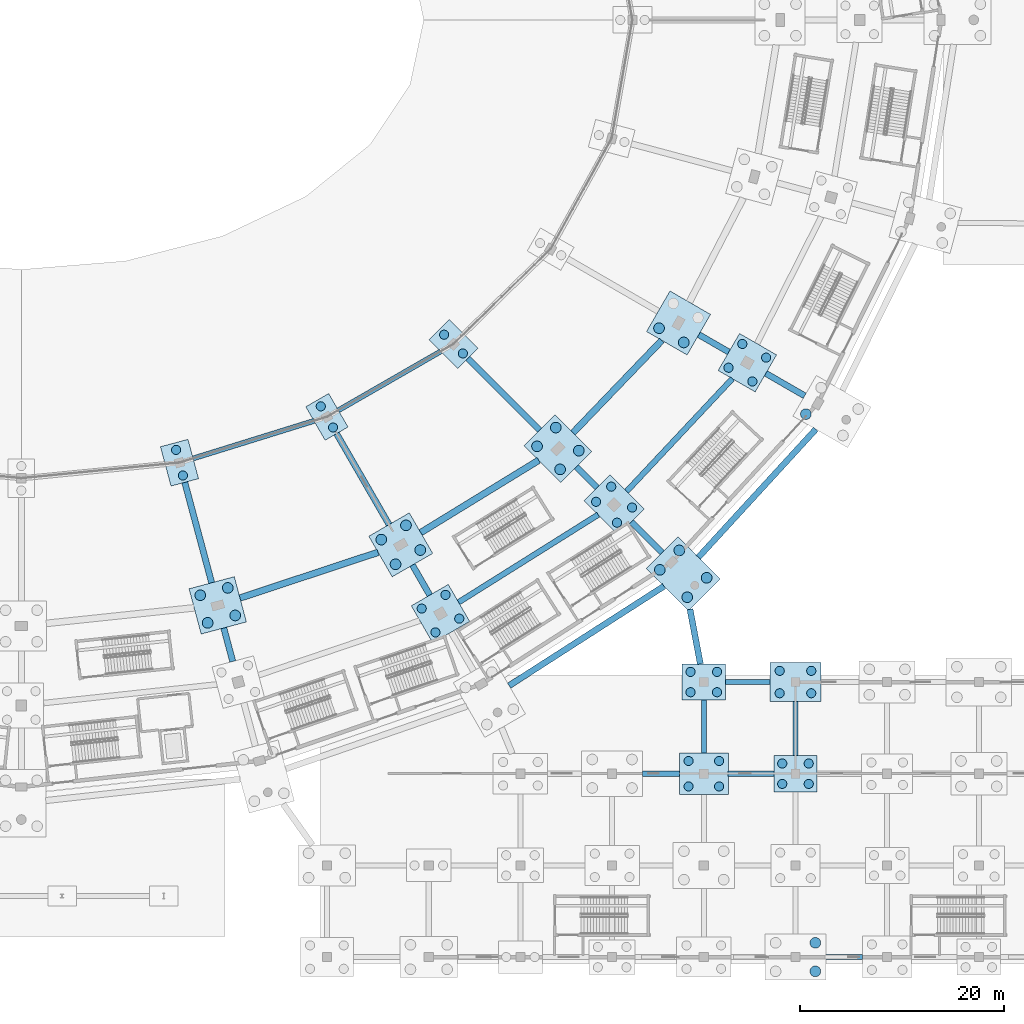
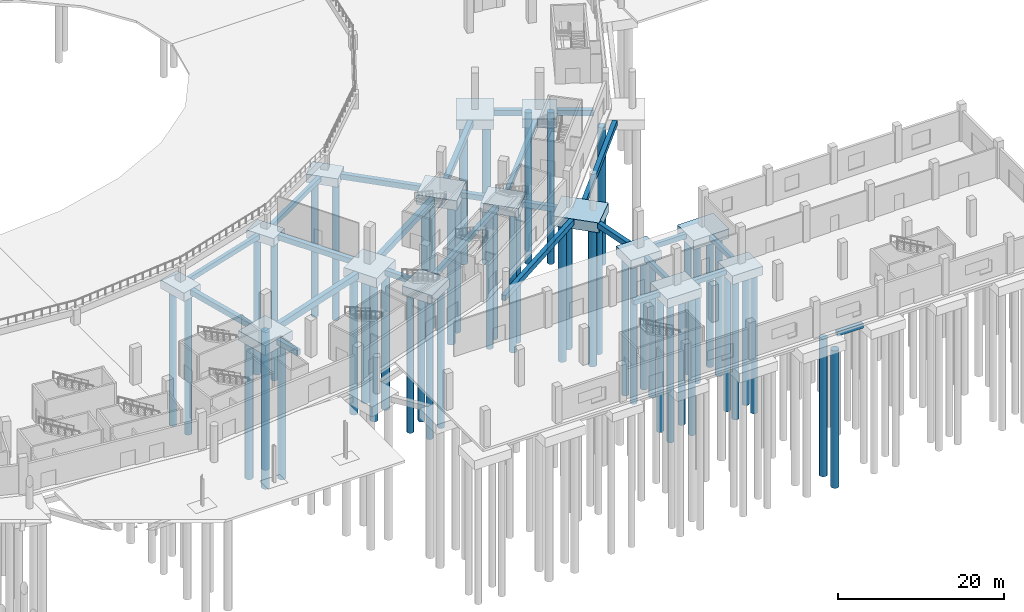
# One storey, part 6 of 103: 55 piles, 40 footings.
"""IFC4 building model written with IfcOpenShell, lengths in metres."""

from ifc_helpers import new_model, si_unit, direction, frame, origin, origin_2d, place, context, subcontext, project, spatial, rectangle, circle, extrude, material, material_profile, profile_set, type_object, element, save


model = new_model("IFC4")

# Units and contexts
model_context = context("Model", 3, precision=1e-05, world=origin(), true_north=direction((0.0, 1.0)))
body_context = subcontext(model_context, "Body", "Model", "MODEL_VIEW")
ifc_project = project(units=[si_unit("LENGTHUNIT", "METRE"), si_unit("AREAUNIT", "SQUARE_METRE"), si_unit("VOLUMEUNIT", "CUBIC_METRE"), si_unit("PLANEANGLEUNIT", "RADIAN"), si_unit("MASSUNIT", "GRAM", prefix="KILO")], contexts=[model_context])

# Site, building, storey
site_placement = place(None, origin())
site = spatial("IfcSite", under=ifc_project, at=site_placement, CompositionType="ELEMENT")
building_placement = place(site_placement, origin())
building = spatial("IfcBuilding", under=site, at=building_placement, Name="Zevraka Park Crest Stadium", CompositionType="ELEMENT")
storey_placement = place(building_placement, origin())
storey = spatial("IfcBuildingStorey", under=building, at=storey_placement, Name="L00", CompositionType="ELEMENT", Elevation=0.0)

# Footings
ifc_material_1 = material(Name="Concrete C35/45", Category="concrete")
ifc_material_profile_1 = material_profile(ifc_material_1, rectangle(XDim=0.60009765625, YDim=0.800048828125, at=origin_2d()), Name="GB 800x600")
ifc_profile_set_1 = profile_set([ifc_material_profile_1], Name="Concrete C35/45")
footing_type_1 = type_object("IfcFootingType", Name="GB01", PredefinedType="FOOTING_BEAM", material=ifc_profile_set_1)
footing_1_placement = place(storey_placement, frame((128.047119140625, 46.60107421875, -0.75), z_axis=(0.258823026795, -0.965924759389, 0.0), x_axis=(0.965924759389, 0.258823026795, 0.0)))
element("IfcFooting", 1, at=footing_1_placement, inside=storey, type_object=footing_type_1, Name="Ground Tie Beam GB01 RAD-AB-19", PredefinedType="FOOTING_BEAM", context=body_context, shape_type="SweptSolid", body=[
    extrude(rectangle(XDim=0.60009765625, YDim=0.800048828125, at=origin_2d()), origin(), (0.0, 0.0, 1.0), 10.19970703125),
])
footing_2_placement = place(storey_placement, frame((131.876953125, 32.304931640625, -0.75), z_axis=(0.258873676752, -0.965911186127, 0.0), x_axis=(0.965911186127, 0.258873676752, 0.0)))
element("IfcFooting", 2, at=footing_2_placement, inside=storey, type_object=footing_type_1, Name="Ground Tie Beam GB01 RAD-BC-19", PredefinedType="FOOTING_BEAM", context=body_context, shape_type="SweptSolid", body=[
    extrude(rectangle(XDim=0.60009765625, YDim=0.800048828125, at=origin_2d()), origin(), (0.0, 0.0, 1.0), 3.39990234375),
])
footing_3_placement = place(storey_placement, frame((142.949951171875, 51.384033203125, -0.75), z_axis=(0.499965227428, -0.866045478808, 0.0), x_axis=(0.866045478808, 0.499965227428, 0.0)))
element("IfcFooting", 3, at=footing_3_placement, inside=storey, type_object=footing_type_1, Name="Ground Tie Beam GB01 RAD-AB-20", PredefinedType="FOOTING_BEAM", context=body_context, shape_type="SweptSolid", body=[
    extrude(rectangle(XDim=0.60009765625, YDim=0.800048828125, at=origin_2d()), origin(), (0.0, 0.0, 1.0), 10.301025390625),
])
footing_4_placement = place(storey_placement, frame((150.39990234375, 38.47900390625, -0.75), z_axis=(0.500093339322, -0.865971507594, 0.0), x_axis=(0.865971507594, 0.500093339322, 0.0)))
element("IfcFooting", 4, at=footing_4_placement, inside=storey, type_object=footing_type_1, Name="Ground Tie Beam GB01 RAD-BC-20", PredefinedType="FOOTING_BEAM", context=body_context, shape_type="SweptSolid", body=[
    extrude(rectangle(XDim=0.60009765625, YDim=0.800048828125, at=origin_2d()), origin(), (0.0, 0.0, 1.0), 3.399658203125),
])
footing_5_placement = place(storey_placement, frame((159.886962890625, 26.64599609375, -0.75), z_axis=(0.841456315092, 0.540325151915, 0.0), x_axis=(-0.540325151915, 0.841456315092, 0.0)))
element("IfcFooting", 5, at=footing_5_placement, inside=storey, type_object=footing_type_1, Name="Ground Tie Beam GB01 CIR-DE-20", PredefinedType="FOOTING_BEAM", context=body_context, shape_type="SweptSolid", body=[
    extrude(rectangle(XDim=0.60009765625, YDim=0.800048828125, at=origin_2d()), origin(), (0.0, 0.0, 1.0), 18.06494140625),
])
footing_6_placement = place(storey_placement, frame((155.840087890625, 58.76611328125, -0.75), z_axis=(0.707094513227, -0.707119048933, 0.0), x_axis=(0.707119048933, 0.707094513227, 0.0)))
element("IfcFooting", 6, at=footing_6_placement, inside=storey, type_object=footing_type_1, Name="Ground Tie Beam GB01 RAD-AB-21", PredefinedType="FOOTING_BEAM", context=body_context, shape_type="SweptSolid", body=[
    extrude(rectangle(XDim=0.60009765625, YDim=0.800048828125, at=origin_2d()), origin(), (0.0, 0.0, 1.0), 9.950439453125),
])
footing_7_placement = place(storey_placement, frame((166.48193359375, 48.1240234375, -0.75), z_axis=(0.707106781187, -0.707106781187, 0.0), x_axis=(0.707106781187, 0.707106781187, 0.0)))
element("IfcFooting", 7, at=footing_7_placement, inside=storey, type_object=footing_type_1, Name="Ground Tie Beam GB01 RAD-BC-21", PredefinedType="FOOTING_BEAM", context=body_context, shape_type="SweptSolid", body=[
    extrude(rectangle(XDim=0.60009765625, YDim=0.800048828125, at=origin_2d()), origin(), (0.0, 0.0, 1.0), 2.875),
])
footing_8_placement = place(storey_placement, frame((171.8740234375, 42.73291015625, -0.75), z_axis=(0.707106781187, -0.707106781187, 0.0), x_axis=(0.707106781187, 0.707106781187, 0.0)))
element("IfcFooting", 8, at=footing_8_placement, inside=storey, type_object=footing_type_1, Name="Ground Tie Beam GB01 RAD-CDE-21", PredefinedType="FOOTING_BEAM", context=body_context, shape_type="SweptSolid", body=[
    extrude(rectangle(XDim=0.60009765625, YDim=0.800048828125, at=origin_2d()), origin(), (0.0, 0.0, 1.0), 4.300537109375),
])
footing_9_placement = place(storey_placement, frame((178.470947265625, 39.2470703125, -0.75), z_axis=(0.675899664643, 0.736993652167, 0.0), x_axis=(-0.736993652167, 0.675899664643, 0.0)))
element("IfcFooting", 9, at=footing_9_placement, inside=storey, type_object=footing_type_1, Name="Ground Tie Beam GB01 CIR-DE-21", PredefinedType="FOOTING_BEAM", context=body_context, shape_type="SweptSolid", body=[
    extrude(rectangle(XDim=0.60009765625, YDim=0.800048828125, at=origin_2d()), origin(), (0.0, 0.0, 1.0), 17.051513671875),
])
footing_10_placement = place(storey_placement, frame((178.510986328125, 61.10009765625, -0.75), z_axis=(0.865971507594, -0.500093339322, 0.0), x_axis=(0.500093339322, 0.865971507594, 0.0)))
element("IfcFooting", 10, at=footing_10_placement, inside=storey, type_object=footing_type_1, Name="Ground Tie Beam GB01 RAD-BC-22", PredefinedType="FOOTING_BEAM", context=body_context, shape_type="SweptSolid", body=[
    extrude(rectangle(XDim=0.60009765625, YDim=0.800048828125, at=origin_2d()), origin(), (0.0, 0.0, 1.0), 3.399658203125),
])
footing_11_placement = place(storey_placement, frame((185.093017578125, 57.300048828125, -0.75), z_axis=(0.866004457284, -0.500036278648, 0.0), x_axis=(0.500036278648, 0.866004457284, 0.0)))
element("IfcFooting", 11, at=footing_11_placement, inside=storey, type_object=footing_type_1, Name="Ground Tie Beam GB01 RAD-CDE-22", PredefinedType="FOOTING_BEAM", context=body_context, shape_type="SweptSolid", body=[
    extrude(rectangle(XDim=0.60009765625, YDim=0.800048828125, at=origin_2d()), origin(), (0.0, 0.0, 1.0), 4.399658203125),
])
footing_12_placement = place(storey_placement, frame((178.6630859375, 28.77490234375, -0.75), z_axis=(-0.186541708019, 0.982447042425, 0.0), x_axis=(-0.982447042425, -0.186541708019, 0.0)))
element("IfcFooting", 12, at=footing_12_placement, inside=storey, type_object=footing_type_1, Name="Ground Tie Beam GB01 WTIE-20-D", PredefinedType="FOOTING_BEAM", context=body_context, shape_type="SweptSolid", body=[
    extrude(rectangle(XDim=0.60009765625, YDim=0.800048828125, at=origin_2d()), origin(), (0.0, 0.0, 1.0), 5.468017578125),
])
ifc_material_2 = material(Name="Concrete C35/45", Category="concrete")
ifc_material_profile_2 = material_profile(ifc_material_2, rectangle(XDim=0.5, YDim=0.699951171875, at=origin_2d()), Name="GB 700x500")
ifc_profile_set_2 = profile_set([ifc_material_profile_2], Name="Concrete C35/45")
footing_type_2 = type_object("IfcFootingType", Name="GB02", PredefinedType="FOOTING_BEAM", material=ifc_profile_set_2)
footing_13_placement = place(storey_placement, frame((128.866943359375, 48.948974609375, -0.699951171875), z_axis=(0.954965260776, 0.296717627908, 0.0), x_axis=(-0.296717627908, 0.954965260776, 0.0)))
element("IfcFooting", 13, at=footing_13_placement, inside=storey, type_object=footing_type_2, Name="Ground Tie Beam GB02 CIR-A-19", PredefinedType="FOOTING_BEAM", context=body_context, shape_type="SweptSolid", body=[
    extrude(rectangle(XDim=0.5, YDim=0.699951171875, at=origin_2d()), origin(), (0.0, 0.0, 1.0), 12.41943359375),
])
footing_14_placement = place(storey_placement, frame((143.126953125, 53.677001953125, -0.699951171875), z_axis=(0.866686781199, 0.498852707014, 0.0), x_axis=(-0.498852707014, 0.866686781199, 0.0)))
element("IfcFooting", 14, at=footing_14_placement, inside=storey, type_object=footing_type_2, Name="Ground Tie Beam GB02 CIR-A-20", PredefinedType="FOOTING_BEAM", context=body_context, shape_type="SweptSolid", body=[
    extrude(rectangle(XDim=0.5, YDim=0.699951171875, at=origin_2d()), origin(), (0.0, 0.0, 1.0), 11.586669921875),
])
footing_15_placement = place(storey_placement, frame((173.0, 18.0, -0.699951171875), z_axis=(1.0, 0.0, 0.0), x_axis=(0.0, 1.0, 0.0)))
element("IfcFooting", 15, at=footing_15_placement, inside=storey, type_object=footing_type_2, Name="Ground Tie Beam GB02 WX-19-C", PredefinedType="FOOTING_BEAM", context=body_context, shape_type="SweptSolid", body=[
    extrude(rectangle(XDim=0.5, YDim=0.699951171875, at=origin_2d()), origin(), (0.0, 0.0, 1.0), 3.60009765625),
])
footing_16_placement = place(storey_placement, frame((181.39990234375, 18.0, -0.699951171875), z_axis=(1.0, 0.0, 0.0), x_axis=(0.0, 1.0, 0.0)))
element("IfcFooting", 16, at=footing_16_placement, inside=storey, type_object=footing_type_2, Name="Ground Tie Beam GB02 WX-20-C", PredefinedType="FOOTING_BEAM", context=body_context, shape_type="SweptSolid", body=[
    extrude(rectangle(XDim=0.5, YDim=0.699951171875, at=origin_2d()), origin(), (0.0, 0.0, 1.0), 4.47509765625),
])
footing_17_placement = place(storey_placement, frame((179.0, 20.050048828125, -0.699951171875), z_axis=(0.0, 1.0, 0.0), x_axis=(-1.0, 0.0, 0.0)))
element("IfcFooting", 17, at=footing_17_placement, inside=storey, type_object=footing_type_2, Name="Ground Tie Beam GB02 WY-20-C", PredefinedType="FOOTING_BEAM", context=body_context, shape_type="SweptSolid", body=[
    extrude(rectangle(XDim=0.5, YDim=0.699951171875, at=origin_2d()), origin(), (0.0, 0.0, 1.0), 5.175048828125),
])
footing_18_placement = place(storey_placement, frame((181.125, 27.0, -0.699951171875), z_axis=(1.0, 0.0, 0.0), x_axis=(0.0, 1.0, 0.0)))
element("IfcFooting", 18, at=footing_18_placement, inside=storey, type_object=footing_type_2, Name="Ground Tie Beam GB02 WX-20-D", PredefinedType="FOOTING_BEAM", context=body_context, shape_type="SweptSolid", body=[
    extrude(rectangle(XDim=0.5, YDim=0.699951171875, at=origin_2d()), origin(), (0.0, 0.0, 1.0), 4.375),
])
footing_19_placement = place(storey_placement, frame((191.0, 0.0, -0.699951171875), z_axis=(1.0, 0.0, 0.0), x_axis=(0.0, 1.0, 0.0)))
element("IfcFooting", 19, at=footing_19_placement, inside=storey, type_object=footing_type_2, Name="Ground Tie Beam GB02 WX-21-A", PredefinedType="FOOTING_BEAM", context=body_context, shape_type="SweptSolid", body=[
    extrude(rectangle(XDim=0.5, YDim=0.699951171875, at=origin_2d()), origin(), (0.0, 0.0, 1.0), 3.60009765625),
])
footing_20_placement = place(storey_placement, frame((188.0, 19.77490234375, -0.699951171875), z_axis=(0.0, 1.0, 0.0), x_axis=(-1.0, 0.0, 0.0)))
element("IfcFooting", 20, at=footing_20_placement, inside=storey, type_object=footing_type_2, Name="Ground Tie Beam GB02 WY-21-C", PredefinedType="FOOTING_BEAM", context=body_context, shape_type="SweptSolid", body=[
    extrude(rectangle(XDim=0.5, YDim=0.699951171875, at=origin_2d()), origin(), (0.0, 0.0, 1.0), 5.300048828125),
])
ifc_material_3 = material(Name="Concrete C35/45", Category="concrete")
ifc_material_profile_3 = material_profile(ifc_material_3, rectangle(XDim=0.64990234375, YDim=0.89990234375, at=origin_2d()), Name="GB 900x650")
ifc_profile_set_3 = profile_set([ifc_material_profile_3], Name="Concrete C35/45")
footing_type_3 = type_object("IfcFootingType", Name="GB03", PredefinedType="FOOTING_BEAM", material=ifc_profile_set_3)
footing_21_placement = place(storey_placement, frame((133.468994140625, 35.2509765625, -0.800048828125), z_axis=(0.94941794929, 0.314015218684, 0.0), x_axis=(-0.314015218684, 0.94941794929, 0.0)))
element("IfcFooting", 21, at=footing_21_placement, inside=storey, type_object=footing_type_3, Name="Ground Tie Beam GB03 CIR-B-19", PredefinedType="FOOTING_BEAM", context=body_context, shape_type="SweptSolid", body=[
    extrude(rectangle(XDim=0.64990234375, YDim=0.89990234375, at=origin_2d()), origin(), (0.0, 0.0, 1.0), 14.27294921875),
])
footing_22_placement = place(storey_placement, frame((151.2119140625, 41.673095703125, -0.800048828125), z_axis=(0.852594278308, 0.522573436559, 0.0), x_axis=(-0.522573436559, 0.852594278308, 0.0)))
element("IfcFooting", 22, at=footing_22_placement, inside=storey, type_object=footing_type_3, Name="Ground Tie Beam GB03 CIR-B-20", PredefinedType="FOOTING_BEAM", context=body_context, shape_type="SweptSolid", body=[
    extrude(rectangle(XDim=0.64990234375, YDim=0.89990234375, at=origin_2d()), origin(), (0.0, 0.0, 1.0), 13.58447265625),
])
footing_23_placement = place(storey_placement, frame((166.1689453125, 51.47802734375, -0.800048828125), z_axis=(0.692845501085, 0.721086063952, 0.0), x_axis=(-0.721086063952, 0.692845501085, 0.0)))
element("IfcFooting", 23, at=footing_23_placement, inside=storey, type_object=footing_type_3, Name="Ground Tie Beam GB03 CIR-B-21", PredefinedType="FOOTING_BEAM", context=body_context, shape_type="SweptSolid", body=[
    extrude(rectangle(XDim=0.64990234375, YDim=0.89990234375, at=origin_2d()), origin(), (0.0, 0.0, 1.0), 12.56982421875),
])
ifc_material_4 = material(Name="Concrete C35/45", Category="concrete")
ifc_material_profile_4 = material_profile(ifc_material_4, rectangle(XDim=0.550048828125, YDim=0.75, at=origin_2d()), Name="GB 750x550")
ifc_profile_set_4 = profile_set([ifc_material_profile_4], Name="Concrete C35/45")
footing_type_4 = type_object("IfcFootingType", Name="GB04", PredefinedType="FOOTING_BEAM", material=ifc_profile_set_4)
footing_24_placement = place(storey_placement, frame((154.929931640625, 34.8330078125, -0.72509765625), z_axis=(0.847033648329, 0.531539272865, 0.0), x_axis=(-0.531539272865, 0.847033648329, 0.0)))
element("IfcFooting", 24, at=footing_24_placement, inside=storey, type_object=footing_type_4, Name="Ground Tie Beam GB04 CIR-C-20", PredefinedType="FOOTING_BEAM", context=body_context, shape_type="SweptSolid", body=[
    extrude(rectangle(XDim=0.550048828125, YDim=0.75, at=origin_2d()), origin(), (0.0, 0.0, 1.0), 16.175537109375),
])
footing_25_placement = place(storey_placement, frame((171.427001953125, 45.72509765625, -0.72509765625), z_axis=(0.684286663636, 0.729213111491, 0.0), x_axis=(-0.729213111491, 0.684286663636, 0.0)))
element("IfcFooting", 25, at=footing_25_placement, inside=storey, type_object=footing_type_4, Name="Ground Tie Beam GB04 CIR-C-21", PredefinedType="FOOTING_BEAM", context=body_context, shape_type="SweptSolid", body=[
    extrude(rectangle(XDim=0.550048828125, YDim=0.75, at=origin_2d()), origin(), (0.0, 0.0, 1.0), 15.156005859375),
])
ifc_material_5 = material(Name="Concrete C35/45", Category="concrete")
footing_type_5 = type_object("IfcFootingType", Name="PC01", PredefinedType="PILE_CAP", material=ifc_material_5)
footing_26_placement = place(storey_placement, frame((142.0, 53.029052734375, -1.5498046875), z_axis=(0.0, 0.0, 1.0), x_axis=(-0.5, 0.866025403784, 0.0)))
element("IfcFooting", 26, at=footing_26_placement, inside=storey, type_object=footing_type_5, Name="Foundation PC01 A-20", PredefinedType="PILE_CAP", context=body_context, shape_type="SweptSolid", body=[
    extrude(rectangle(XDim=3.800048828125, YDim=2.60009765625, at=origin_2d()), origin(), (0.0, 0.0, 1.0), 1.199951171875),
])
ifc_material_6 = material(Name="Concrete C35/45", Category="concrete")
footing_type_6 = type_object("IfcFootingType", Name="PC02", PredefinedType="PILE_CAP", material=ifc_material_6)
for number, where, z_axis, x_axis, name in (
    (27, (127.529052734375, 48.532958984375, -1.60009765625), (0.0, 0.0, 1.0), (-0.258819045103, 0.965925826289, 0.0), "Foundation PC02 A-19"),
    (28, (154.426025390625, 60.179931640625, -1.60009765625), (0.0, 0.0, 1.0), (-0.707106781187, 0.707106781187, 0.0), "Foundation PC02 A-21"),
):
    element("IfcFooting", number, at=place(storey_placement, frame(where, z_axis=z_axis, x_axis=x_axis)), inside=storey, type_object=footing_type_6, Name=name, PredefinedType="PILE_CAP", context=body_context, shape_type="SweptSolid", body=[
        extrude(rectangle(XDim=4.0, YDim=2.800048828125, at=origin_2d()), origin(), (0.0, 0.0, 1.0), 1.25),
    ])
ifc_material_7 = material(Name="Concrete C35/45", Category="concrete")
footing_type_7 = type_object("IfcFootingType", Name="PC03", PredefinedType="PILE_CAP", material=ifc_material_7)
for number, where, z_axis, x_axis, name in (
    (29, (131.281982421875, 34.527099609375, -1.75), (0.0, 0.0, 1.0), (-0.258819045103, 0.965925826289, 0.0), "Foundation PC03 B-19"),
    (30, (149.25, 40.470947265625, -1.75), (0.0, 0.0, 1.0), (-0.5, 0.866025403784, 0.0), "Foundation PC03 B-20"),
    (31, (176.51904296875, 62.25, -1.75), (0.0, 0.0, 1.0), (-0.866025403784, 0.5, 0.0), "Foundation PC03 B-22"),
):
    element("IfcFooting", number, at=place(storey_placement, frame(where, z_axis=z_axis, x_axis=x_axis)), inside=storey, type_object=footing_type_7, Name=name, PredefinedType="PILE_CAP", context=body_context, shape_type="SweptSolid", body=[
        extrude(rectangle(XDim=4.60009765625, YDim=4.60009765625, at=origin_2d()), origin(), (0.0, 0.0, 1.0), 1.39990234375),
    ])
ifc_material_8 = material(Name="Concrete C35/45", Category="concrete")
footing_type_8 = type_object("IfcFootingType", Name="PC05", PredefinedType="PILE_CAP", material=ifc_material_8)
for number, where, z_axis, x_axis, name in (
    (32, (153.14990234375, 33.716064453125, -1.64990234375), (0.0, 0.0, 1.0), (-0.5, 0.866025403784, 0.0), "Foundation PC05 C-20"),
    (33, (183.27392578125, 58.35009765625, -1.64990234375), (0.0, 0.0, 1.0), (-0.866025403784, 0.5, 0.0), "Foundation PC05 C-22"),
):
    element("IfcFooting", number, at=place(storey_placement, frame(where, z_axis=z_axis, x_axis=x_axis)), inside=storey, type_object=footing_type_8, Name=name, PredefinedType="PILE_CAP", context=body_context, shape_type="SweptSolid", body=[
        extrude(rectangle(XDim=4.199951171875, YDim=4.199951171875, at=origin_2d()), origin(), (0.0, 0.0, 1.0), 1.300048828125),
    ])
ifc_material_9 = material(Name="Concrete C35/45", Category="concrete")
footing_type_9 = type_object("IfcFootingType", Name="PC13", PredefinedType="PILE_CAP", material=ifc_material_9)
footing_27_placement = place(storey_placement, frame((170.195068359375, 44.412109375, -1.64990234375), z_axis=(0.0, 0.0, 1.0), x_axis=(-0.707106781187, 0.707106781187, 0.0)))
element("IfcFooting", 34, at=footing_27_placement, inside=storey, type_object=footing_type_9, Name="Foundation PC13 C-21", PredefinedType="PILE_CAP", context=body_context, shape_type="SweptSolid", body=[
    extrude(rectangle(XDim=4.75, YDim=3.60009765625, at=origin_2d()), origin(), (0.0, 0.0, 1.0), 1.300048828125),
])
ifc_material_10 = material(Name="Concrete C35/45", Category="concrete")
footing_type_10 = type_object("IfcFootingType", Name="PC14", PredefinedType="PILE_CAP", material=ifc_material_10)
footing_28_placement = place(storey_placement, frame((164.678955078125, 49.927001953125, -1.75), z_axis=(0.0, 0.0, 1.0), x_axis=(-0.707106781187, 0.707106781187, 0.0)))
element("IfcFooting", 35, at=footing_28_placement, inside=storey, type_object=footing_type_10, Name="Foundation PC14 B-21", PredefinedType="PILE_CAP", context=body_context, shape_type="SweptSolid", body=[
    extrude(rectangle(XDim=5.10009765625, YDim=4.300048828125, at=origin_2d()), origin(), (0.0, 0.0, 1.0), 1.39990234375),
])
ifc_material_11 = material(Name="Concrete C35/45", Category="concrete")
footing_type_11 = type_object("IfcFootingType", Name="PC15", PredefinedType="PILE_CAP", material=ifc_material_11)
footing_29_placement = place(storey_placement, frame((176.98291015625, 37.6240234375, -1.7998046875), z_axis=(0.0, 0.0, 1.0), x_axis=(-0.707106781187, 0.707106781187, 0.0)))
element("IfcFooting", 36, at=footing_29_placement, inside=storey, type_object=footing_type_11, Name="Foundation PC15 DE-21", PredefinedType="PILE_CAP", context=body_context, shape_type="SweptSolid", body=[
    extrude(rectangle(XDim=5.85009765625, YDim=4.39990234375, at=origin_2d()), origin(), (0.0, 0.0, 1.0), 1.449951171875),
])
ifc_material_12 = material(Name="Concrete C35/45", Category="concrete")
footing_type_12 = type_object("IfcFootingType", Name="PC20", PredefinedType="PILE_CAP", material=ifc_material_12)
footing_30_placement = place(storey_placement, frame((179.0, 18.0, -1.699951171875), z_axis=(0.0, 0.0, 1.0), x_axis=(1.0, 0.0, 0.0)))
element("IfcFooting", 37, at=footing_30_placement, inside=storey, type_object=footing_type_12, Name="Foundation PC20 W-20-C", PredefinedType="PILE_CAP", context=body_context, shape_type="SweptSolid", body=[
    extrude(rectangle(XDim=4.800048828125, YDim=4.10009765625, at=origin_2d()), origin(), (0.0, 0.0, 1.0), 1.35009765625),
])
ifc_material_13 = material(Name="Concrete C35/45", Category="concrete")
footing_type_13 = type_object("IfcFootingType", Name="PC21", PredefinedType="PILE_CAP", material=ifc_material_13)
for number, where, z_axis, x_axis, name in (
    (38, (179.0, 27.0, -1.6298828125), (0.0, 0.0, 1.0), (1.0, 0.0, 0.0), "Foundation PC21 W-20-D"),
    (39, (188.0, 18.0, -1.6298828125), (0.0, 0.0, 1.0), (1.0, 0.0, 0.0), "Foundation PC21 W-21-C"),
):
    element("IfcFooting", number, at=place(storey_placement, frame(where, z_axis=z_axis, x_axis=x_axis)), inside=storey, type_object=footing_type_13, Name=name, PredefinedType="PILE_CAP", context=body_context, shape_type="SweptSolid", body=[
        extrude(rectangle(XDim=4.25, YDim=3.550048828125, at=origin_2d()), origin(), (0.0, 0.0, 1.0), 1.280029296875),
    ])
ifc_material_14 = material(Name="Concrete C35/45", Category="concrete")
footing_type_14 = type_object("IfcFootingType", Name="PC22", PredefinedType="PILE_CAP", material=ifc_material_14)
footing_31_placement = place(storey_placement, frame((188.0, 27.0, -1.7099609375), z_axis=(0.0, 0.0, 1.0), x_axis=(1.0, 0.0, 0.0)))
element("IfcFooting", 40, at=footing_31_placement, inside=storey, type_object=footing_type_14, Name="Foundation PC22 W-21-D", PredefinedType="PILE_CAP", context=body_context, shape_type="SweptSolid", body=[
    extrude(rectangle(XDim=5.0, YDim=3.85009765625, at=origin_2d()), origin(), (0.0, 0.0, 1.0), 1.360107421875),
])

# Piles
ifc_material_15 = material(Name="Concrete C35/45", Category="concrete")
ifc_material_profile_5 = material_profile(ifc_material_15, circle(Radius=0.449951171875, at=origin_2d()), Name="PILE D900")
ifc_profile_set_5 = profile_set([ifc_material_profile_5], Name="Concrete C35/45")
pile_type_1 = type_object("IfcPileType", Name="PL01", PredefinedType="BORED", material=ifc_profile_set_5)
for number, where, z_axis, x_axis, name in (
    (41, (127.864990234375, 47.277099609375, -1.5), (0.0, 0.0, -1.0), (1.0, 0.0, 0.0), "Bored Pile PL01 A-19-1"),
    (42, (127.193115234375, 49.7890625, -1.5), (0.0, 0.0, -1.0), (1.0, 0.0, 0.0), "Bored Pile PL01 A-19-2"),
):
    element("IfcPile", number, at=place(storey_placement, frame(where, z_axis=z_axis, x_axis=x_axis)), inside=storey, type_object=pile_type_1, Name=name, PredefinedType="BORED", context=body_context, shape_type="SweptSolid", body=[
        extrude(circle(Radius=0.449951171875, at=origin_2d()), origin(), (0.0, 0.0, 1.0), 20.5),
    ])
for number, where, z_axis, x_axis, name in (
    (43, (142.60009765625, 51.989990234375, -1.449951171875), (0.0, 0.0, -1.0), (1.0, 0.0, 0.0), "Bored Pile PL01 A-20-1"),
    (44, (141.39990234375, 54.068115234375, -1.449951171875), (0.0, 0.0, -1.0), (1.0, 0.0, 0.0), "Bored Pile PL01 A-20-2"),
):
    element("IfcPile", number, at=place(storey_placement, frame(where, z_axis=z_axis, x_axis=x_axis)), inside=storey, type_object=pile_type_1, Name=name, PredefinedType="BORED", context=body_context, shape_type="SweptSolid", body=[
        extrude(circle(Radius=0.449951171875, at=origin_2d()), origin(), (0.0, 0.0, 1.0), 20.550048828125),
    ])
for number, where, z_axis, x_axis, name in (
    (45, (154.993896484375, 33.221923828125, -1.550048828125), (0.0, 0.0, -1.0), (1.0, 0.0, 0.0), "Bored Pile PL01 C-20-1"),
    (46, (153.64404296875, 35.56005859375, -1.550048828125), (0.0, 0.0, -1.0), (1.0, 0.0, 0.0), "Bored Pile PL01 C-20-2"),
    (47, (152.656005859375, 31.8720703125, -1.550048828125), (0.0, 0.0, -1.0), (1.0, 0.0, 0.0), "Bored Pile PL01 C-20-3"),
    (48, (151.305908203125, 34.2099609375, -1.550048828125), (0.0, 0.0, -1.0), (1.0, 0.0, 0.0), "Bored Pile PL01 C-20-4"),
):
    element("IfcPile", number, at=place(storey_placement, frame(where, z_axis=z_axis, x_axis=x_axis)), inside=storey, type_object=pile_type_1, Name=name, PredefinedType="BORED", context=body_context, shape_type="SweptSolid", body=[
        extrude(circle(Radius=0.449951171875, at=origin_2d()), origin(), (0.0, 0.0, 1.0), 20.449951171875),
    ])
for number, where, z_axis, x_axis, name in (
    (49, (155.344970703125, 59.260986328125, -1.5), (0.0, 0.0, -1.0), (1.0, 0.0, 0.0), "Bored Pile PL01 A-21-1"),
    (50, (153.507080078125, 61.09912109375, -1.5), (0.0, 0.0, -1.0), (1.0, 0.0, 0.0), "Bored Pile PL01 A-21-2"),
):
    element("IfcPile", number, at=place(storey_placement, frame(where, z_axis=z_axis, x_axis=x_axis)), inside=storey, type_object=pile_type_1, Name=name, PredefinedType="BORED", context=body_context, shape_type="SweptSolid", body=[
        extrude(circle(Radius=0.449951171875, at=origin_2d()), origin(), (0.0, 0.0, 1.0), 20.5),
    ])
for number, where, z_axis, x_axis, name in (
    (51, (171.962890625, 44.12890625, -1.550048828125), (0.0, 0.0, -1.0), (1.0, 0.0, 0.0), "Bored Pile PL01 C-21-1"),
    (52, (169.912109375, 46.179931640625, -1.550048828125), (0.0, 0.0, -1.0), (1.0, 0.0, 0.0), "Bored Pile PL01 C-21-2"),
    (53, (170.47802734375, 42.64404296875, -1.550048828125), (0.0, 0.0, -1.0), (1.0, 0.0, 0.0), "Bored Pile PL01 C-21-3"),
    (54, (168.427001953125, 44.695068359375, -1.550048828125), (0.0, 0.0, -1.0), (1.0, 0.0, 0.0), "Bored Pile PL01 C-21-4"),
    (55, (185.117919921875, 58.843994140625, -1.550048828125), (0.0, 0.0, -1.0), (1.0, 0.0, 0.0), "Bored Pile PL01 C-22-1"),
    (56, (182.780029296875, 60.194091796875, -1.550048828125), (0.0, 0.0, -1.0), (1.0, 0.0, 0.0), "Bored Pile PL01 C-22-2"),
    (57, (183.76806640625, 56.506103515625, -1.550048828125), (0.0, 0.0, -1.0), (1.0, 0.0, 0.0), "Bored Pile PL01 C-22-3"),
    (58, (181.429931640625, 57.85595703125, -1.550048828125), (0.0, 0.0, -1.0), (1.0, 0.0, 0.0), "Bored Pile PL01 C-22-4"),
):
    element("IfcPile", number, at=place(storey_placement, frame(where, z_axis=z_axis, x_axis=x_axis)), inside=storey, type_object=pile_type_1, Name=name, PredefinedType="BORED", context=body_context, shape_type="SweptSolid", body=[
        extrude(circle(Radius=0.449951171875, at=origin_2d()), origin(), (0.0, 0.0, 1.0), 20.449951171875),
    ])
for number, where, z_axis, x_axis, name in (
    (59, (177.5, 16.75, -1.60009765625), (0.0, 0.0, -1.0), (1.0, 0.0, 0.0), "Bored Pile PL01 W-20-C-1"),
    (60, (180.5, 16.75, -1.60009765625), (0.0, 0.0, -1.0), (1.0, 0.0, 0.0), "Bored Pile PL01 W-20-C-2"),
    (61, (177.5, 19.25, -1.60009765625), (0.0, 0.0, -1.0), (1.0, 0.0, 0.0), "Bored Pile PL01 W-20-C-3"),
    (62, (180.5, 19.25, -1.60009765625), (0.0, 0.0, -1.0), (1.0, 0.0, 0.0), "Bored Pile PL01 W-20-C-4"),
):
    element("IfcPile", number, at=place(storey_placement, frame(where, z_axis=z_axis, x_axis=x_axis)), inside=storey, type_object=pile_type_1, Name=name, PredefinedType="BORED", context=body_context, shape_type="SweptSolid", body=[
        extrude(circle(Radius=0.449951171875, at=origin_2d()), origin(), (0.0, 0.0, 1.0), 20.39990234375),
    ])
for number, where, z_axis, x_axis, name in (
    (63, (177.699951171875, 26.0, -1.530029296875), (0.0, 0.0, -1.0), (1.0, 0.0, 0.0), "Bored Pile PL01 W-20-D-1"),
    (64, (180.300048828125, 26.0, -1.530029296875), (0.0, 0.0, -1.0), (1.0, 0.0, 0.0), "Bored Pile PL01 W-20-D-2"),
    (65, (177.699951171875, 28.0, -1.530029296875), (0.0, 0.0, -1.0), (1.0, 0.0, 0.0), "Bored Pile PL01 W-20-D-3"),
    (66, (180.300048828125, 28.0, -1.530029296875), (0.0, 0.0, -1.0), (1.0, 0.0, 0.0), "Bored Pile PL01 W-20-D-4"),
    (67, (186.699951171875, 17.0, -1.530029296875), (0.0, 0.0, -1.0), (1.0, 0.0, 0.0), "Bored Pile PL01 W-21-C-1"),
    (68, (189.300048828125, 17.0, -1.530029296875), (0.0, 0.0, -1.0), (1.0, 0.0, 0.0), "Bored Pile PL01 W-21-C-2"),
    (69, (186.699951171875, 19.0, -1.530029296875), (0.0, 0.0, -1.0), (1.0, 0.0, 0.0), "Bored Pile PL01 W-21-C-3"),
    (70, (189.300048828125, 19.0, -1.530029296875), (0.0, 0.0, -1.0), (1.0, 0.0, 0.0), "Bored Pile PL01 W-21-C-4"),
):
    element("IfcPile", number, at=place(storey_placement, frame(where, z_axis=z_axis, x_axis=x_axis)), inside=storey, type_object=pile_type_1, Name=name, PredefinedType="BORED", context=body_context, shape_type="SweptSolid", body=[
        extrude(circle(Radius=0.449951171875, at=origin_2d()), origin(), (0.0, 0.0, 1.0), 20.469970703125),
    ])
for number, where, z_axis, x_axis, name in (
    (71, (186.449951171875, 25.89990234375, -1.610107421875), (0.0, 0.0, -1.0), (1.0, 0.0, 0.0), "Bored Pile PL01 W-21-D-1"),
    (72, (189.550048828125, 25.89990234375, -1.610107421875), (0.0, 0.0, -1.0), (1.0, 0.0, 0.0), "Bored Pile PL01 W-21-D-2"),
    (73, (186.449951171875, 28.10009765625, -1.610107421875), (0.0, 0.0, -1.0), (1.0, 0.0, 0.0), "Bored Pile PL01 W-21-D-3"),
    (74, (189.550048828125, 28.10009765625, -1.610107421875), (0.0, 0.0, -1.0), (1.0, 0.0, 0.0), "Bored Pile PL01 W-21-D-4"),
):
    element("IfcPile", number, at=place(storey_placement, frame(where, z_axis=z_axis, x_axis=x_axis)), inside=storey, type_object=pile_type_1, Name=name, PredefinedType="BORED", context=body_context, shape_type="SweptSolid", body=[
        extrude(circle(Radius=0.449951171875, at=origin_2d()), origin(), (0.0, 0.0, 1.0), 20.389892578125),
    ])
ifc_material_16 = material(Name="Concrete C35/45", Category="concrete")
ifc_material_profile_6 = material_profile(ifc_material_16, circle(Radius=0.52490234375, at=origin_2d()), Name="PILE D1050")
ifc_profile_set_6 = profile_set([ifc_material_profile_6], Name="Concrete C35/45")
pile_type_2 = type_object("IfcPileType", Name="PL02", PredefinedType="BORED", material=ifc_profile_set_6)
for number, where, z_axis, x_axis, name in (
    (75, (132.9970703125, 33.537109375, -1.64990234375), (0.0, 0.0, -1.0), (1.0, 0.0, 0.0), "Bored Pile PL02 B-19-1"),
    (76, (132.27197265625, 36.241943359375, -1.64990234375), (0.0, 0.0, -1.0), (1.0, 0.0, 0.0), "Bored Pile PL02 B-19-2"),
    (77, (130.2919921875, 32.81201171875, -1.64990234375), (0.0, 0.0, -1.0), (1.0, 0.0, 0.0), "Bored Pile PL02 B-19-3"),
    (78, (129.56689453125, 35.51708984375, -1.64990234375), (0.0, 0.0, -1.0), (1.0, 0.0, 0.0), "Bored Pile PL02 B-19-4"),
    (79, (151.162109375, 39.958984375, -1.64990234375), (0.0, 0.0, -1.0), (1.0, 0.0, 0.0), "Bored Pile PL02 B-20-1"),
    (80, (149.761962890625, 42.383056640625, -1.64990234375), (0.0, 0.0, -1.0), (1.0, 0.0, 0.0), "Bored Pile PL02 B-20-2"),
    (81, (148.738037109375, 38.55908203125, -1.64990234375), (0.0, 0.0, -1.0), (1.0, 0.0, 0.0), "Bored Pile PL02 B-20-3"),
    (82, (147.337890625, 40.98291015625, -1.64990234375), (0.0, 0.0, -1.0), (1.0, 0.0, 0.0), "Bored Pile PL02 B-20-4"),
    (83, (166.72998046875, 49.715087890625, -1.64990234375), (0.0, 0.0, -1.0), (1.0, 0.0, 0.0), "Bored Pile PL02 B-21-1"),
    (84, (164.467041015625, 51.97802734375, -1.64990234375), (0.0, 0.0, -1.0), (1.0, 0.0, 0.0), "Bored Pile PL02 B-21-2"),
    (85, (164.89111328125, 47.8759765625, -1.64990234375), (0.0, 0.0, -1.0), (1.0, 0.0, 0.0), "Bored Pile PL02 B-21-3"),
    (86, (162.6279296875, 50.138916015625, -1.64990234375), (0.0, 0.0, -1.0), (1.0, 0.0, 0.0), "Bored Pile PL02 B-21-4"),
):
    element("IfcPile", number, at=place(storey_placement, frame(where, z_axis=z_axis, x_axis=x_axis)), inside=storey, type_object=pile_type_2, Name=name, PredefinedType="BORED", context=body_context, shape_type="SweptSolid", body=[
        extrude(circle(Radius=0.52490234375, at=origin_2d()), origin(), (0.0, 0.0, 1.0), 20.35009765625),
    ])
for number, where, z_axis, x_axis, name in (
    (87, (179.281005859375, 37.235107421875, -1.699951171875), (0.0, 0.0, -1.0), (1.0, 0.0, 0.0), "Bored Pile PL02 DE-21-1"),
    (88, (176.593994140625, 39.922119140625, -1.699951171875), (0.0, 0.0, -1.0), (1.0, 0.0, 0.0), "Bored Pile PL02 DE-21-2"),
    (89, (177.3720703125, 35.325927734375, -1.699951171875), (0.0, 0.0, -1.0), (1.0, 0.0, 0.0), "Bored Pile PL02 DE-21-3"),
    (90, (174.68505859375, 38.012939453125, -1.699951171875), (0.0, 0.0, -1.0), (1.0, 0.0, 0.0), "Bored Pile PL02 DE-21-4"),
):
    element("IfcPile", number, at=place(storey_placement, frame(where, z_axis=z_axis, x_axis=x_axis)), inside=storey, type_object=pile_type_2, Name=name, PredefinedType="BORED", context=body_context, shape_type="SweptSolid", body=[
        extrude(circle(Radius=0.52490234375, at=origin_2d()), origin(), (0.0, 0.0, 1.0), 20.300048828125),
    ])
for number, where, z_axis, x_axis, name in (
    (91, (177.031005859375, 60.337890625, -1.64990234375), (0.0, 0.0, -1.0), (1.0, 0.0, 0.0), "Bored Pile PL02 B-22-3"),
    (92, (174.60693359375, 61.738037109375, -1.64990234375), (0.0, 0.0, -1.0), (1.0, 0.0, 0.0), "Bored Pile PL02 B-22-4"),
):
    element("IfcPile", number, at=place(storey_placement, frame(where, z_axis=z_axis, x_axis=x_axis)), inside=storey, type_object=pile_type_2, Name=name, PredefinedType="BORED", context=body_context, shape_type="SweptSolid", body=[
        extrude(circle(Radius=0.52490234375, at=origin_2d()), origin(), (0.0, 0.0, 1.0), 20.35009765625),
    ])
pile_placement = place(storey_placement, frame((189.01904296875, 53.301025390625, -1.699951171875), z_axis=(0.0, 0.0, -1.0), x_axis=(1.0, 0.0, 0.0)))
element("IfcPile", 93, at=pile_placement, inside=storey, type_object=pile_type_2, Name="Bored Pile PL02 DE-22-4", PredefinedType="BORED", context=body_context, shape_type="SweptSolid", body=[
    extrude(circle(Radius=0.52490234375, at=origin_2d()), origin(), (0.0, 0.0, 1.0), 20.300048828125),
])
for number, where, z_axis, x_axis, name in (
    (94, (189.949951171875, -1.39990234375, -1.72998046875), (0.0, 0.0, -1.0), (1.0, 0.0, 0.0), "Bored Pile PL02 W-21-A-2"),
    (95, (189.949951171875, 1.39990234375, -1.72998046875), (0.0, 0.0, -1.0), (1.0, 0.0, 0.0), "Bored Pile PL02 W-21-A-4"),
):
    element("IfcPile", number, at=place(storey_placement, frame(where, z_axis=z_axis, x_axis=x_axis)), inside=storey, type_object=pile_type_2, Name=name, PredefinedType="BORED", context=body_context, shape_type="SweptSolid", body=[
        extrude(circle(Radius=0.52490234375, at=origin_2d()), origin(), (0.0, 0.0, 1.0), 20.27001953125),
    ])

save(model, "model.ifc")
